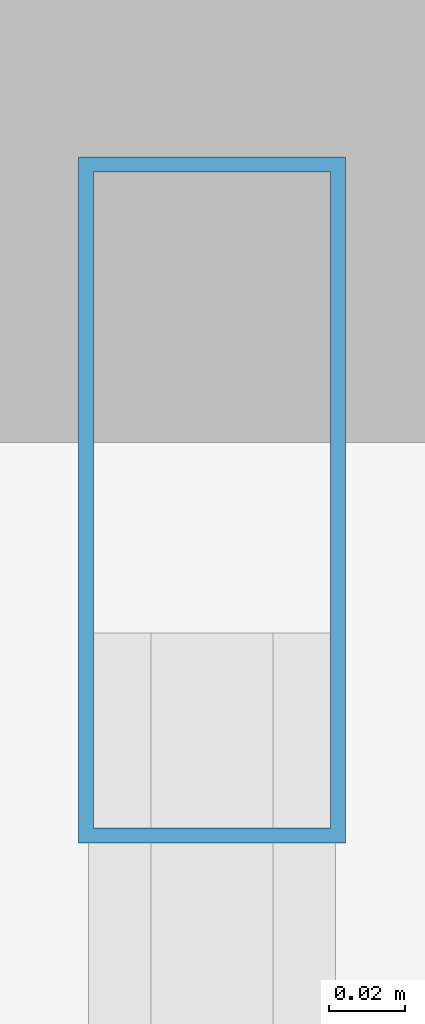
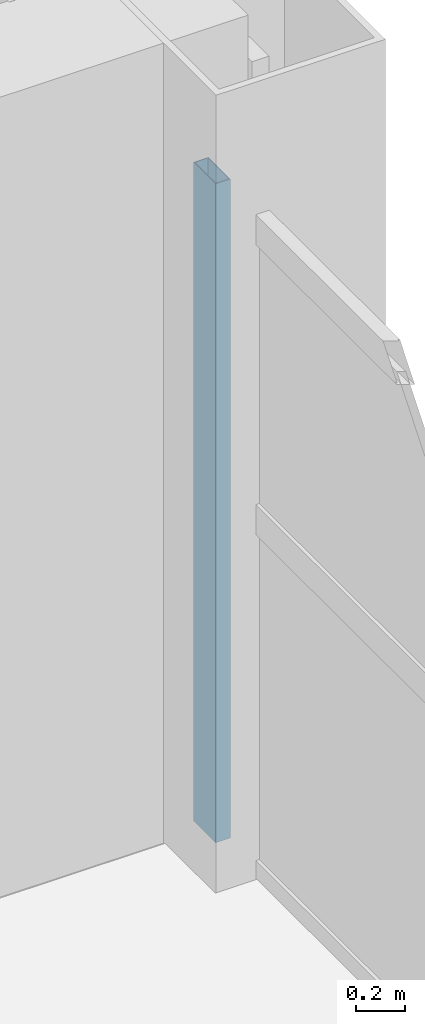
# One storey, part 6 of 13: 1 member, 1 element without a shape of its own.
"""IFC4 building model written with IfcOpenShell, lengths in metres."""

from ifc_helpers import new_model, si_unit, direction, frame, origin, origin_2d, place, context, subcontext, project, spatial, hollow_rectangle, extrude, material, layer, layer_set, material_profile, profile_set, type_object, element, aggregate, save


model = new_model("IFC4")

# Units and contexts
model_context = context("Model", 3, precision=1e-05, world=origin(), true_north=direction((0.0, 1.0)))
body_context = subcontext(model_context, "Body", "Model", "MODEL_VIEW")
ifc_project = project(units=[si_unit("LENGTHUNIT", "METRE"), si_unit("AREAUNIT", "SQUARE_METRE"), si_unit("VOLUMEUNIT", "CUBIC_METRE"), si_unit("PLANEANGLEUNIT", "RADIAN"), si_unit("MASSUNIT", "GRAM", prefix="KILO")], contexts=[model_context])

# Site, building, storey
site_placement = place(None, origin())
site = spatial("IfcSite", under=ifc_project, at=site_placement, CompositionType="ELEMENT")
building_placement = place(site_placement, origin())
building = spatial("IfcBuilding", under=site, at=building_placement, Name="Qianrong Seaharbour Tower", CompositionType="ELEMENT")
storey_placement = place(building_placement, frame((0.0, 0.0, 299.199951171875)))
storey = spatial("IfcBuildingStorey", under=building, at=storey_placement, Name="L72", CompositionType="ELEMENT", Elevation=299.199951171875)

# Curtain wall, member
ifc_material_1 = material(Name="Anodised aluminium 6063-T6 and laminated low-e glass", Category="aluminium")
ifc_layer = layer(ifc_material_1, 0.195068359375)
ifc_layer_set = layer_set([ifc_layer], Name="Anodised aluminium 6063-T6 and laminated low-e glass")
curtain_wall_type = type_object("IfcCurtainWallType", Name="CW-SYS-3", PredefinedType="NOTDEFINED", material=ifc_layer_set)
curtain_wall_placement = place(storey_placement, origin())
curtain_wall = element("IfcCurtainWall", 1, at=curtain_wall_placement, inside=storey, type_object=curtain_wall_type, Name="L72 Sky-Garden Wintergarden Curtain Wall EAST_WING", PredefinedType="NOTDEFINED")
ifc_material_2 = material(Name="Extruded aluminium 6063-T6", Category="aluminium")
ifc_material_profile = material_profile(ifc_material_2, hollow_rectangle(XDim=0.070068359375, YDim=0.179931640625, WallThickness=0.00390625, at=origin_2d()), Name="ALU-MUL-180x70x4")
ifc_profile_set = profile_set([ifc_material_profile], Name="Extruded aluminium 6063-T6")
member_type = type_object("IfcMemberType", Name="CW-MUL-180", PredefinedType="MULLION", material=ifc_profile_set)
member_placement = place(storey_placement, frame((63.820068359375, 36.014892578125, 0.0), z_axis=(0.0, 0.0, 1.0), x_axis=(1.0, 0.0, 0.0)))
member = element("IfcMember", 2, at=member_placement, type_object=member_type, Name="CW-3 mullion 1", PredefinedType="MULLION", context=body_context, shape_type="SweptSolid", body=[
    extrude(hollow_rectangle(XDim=0.070068359375, YDim=0.179931640625, WallThickness=0.00390625, at=origin_2d()), origin(), (0.0, 0.0, 1.0), 3.295166015625),
])
aggregate(curtain_wall, [member])

save(model, "model.ifc")
